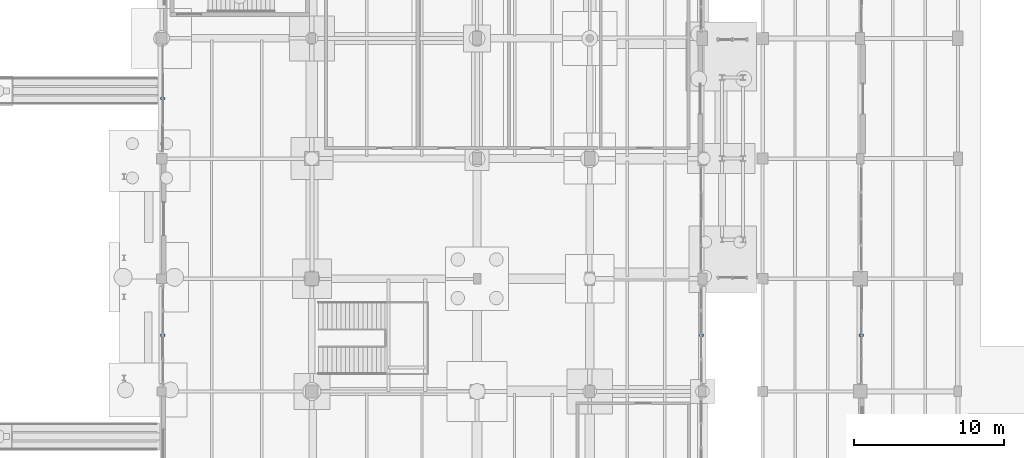
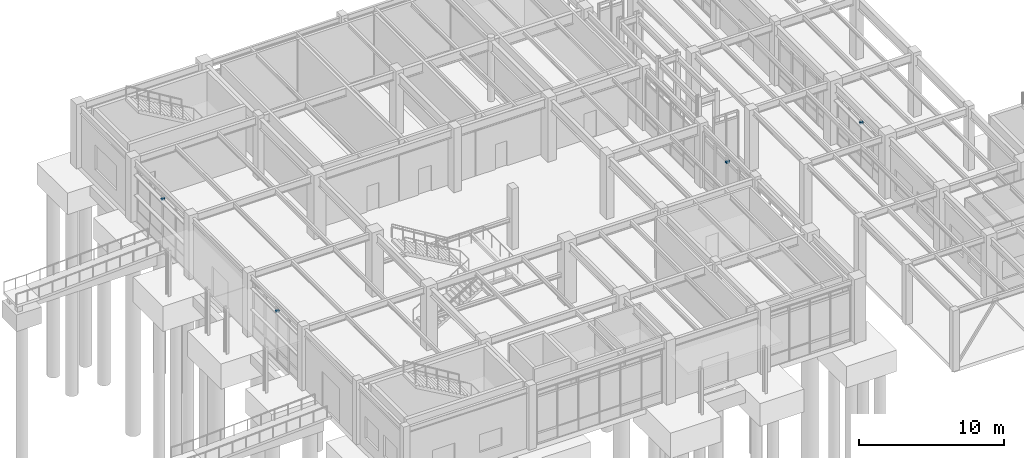
# One storey, part 188 of 203: 4 discrete accessories.
"""IFC4 building model written with IfcOpenShell, lengths in metres."""

from ifc_helpers import new_model, si_unit, direction, frame, origin, origin_2d, place, context, subcontext, project, spatial, rectangle, extrude, material, type_object, element, save


model = new_model("IFC4")

# Units and contexts
model_context = context("Model", 3, precision=1e-05, world=origin(), true_north=direction((0.0, 1.0)))
body_context = subcontext(model_context, "Body", "Model", "MODEL_VIEW")
ifc_project = project(units=[si_unit("LENGTHUNIT", "METRE"), si_unit("AREAUNIT", "SQUARE_METRE"), si_unit("VOLUMEUNIT", "CUBIC_METRE"), si_unit("PLANEANGLEUNIT", "RADIAN"), si_unit("MASSUNIT", "GRAM", prefix="KILO"), si_unit("THERMODYNAMICTEMPERATUREUNIT", "KELVIN"), si_unit("POWERUNIT", "WATT")], contexts=[model_context])

# Site, building, storey
site_placement = place(None, origin())
site = spatial("IfcSite", under=ifc_project, at=site_placement, CompositionType="ELEMENT")
building_placement = place(site_placement, origin())
building = spatial("IfcBuilding", under=site, at=building_placement, Name="Tepalcoro Natatorium and Aquatics Centre", CompositionType="ELEMENT")
storey_placement = place(building_placement, origin())
storey = spatial("IfcBuildingStorey", under=building, at=storey_placement, Name="L00", CompositionType="ELEMENT", Elevation=0.0)

# Discrete accessories
ifc_material_1 = material(Name="Plate Steel ASTM A572 Grade 50 (Fy 345 MPa)", Category="steel")
discrete_accessory_type_1 = type_object("IfcDiscreteAccessoryType", Name="BRK_FACADE_GALV", PredefinedType="BRACKET", material=ifc_material_1)
for number, where, z_axis, x_axis, name in (
    (1, (46.574951171875, 24.25, 3.66015625), (0.0, 0.0, 1.0), (1.0, 0.0, 0.0), "Solar Shading Outrigger Bracket BRK_FACADE_GALV"),
    (2, (0.074951171875, 40.0, 3.9638671875), (0.0, 0.0, 1.0), (1.0, 0.0, 0.0), "Solar Shading Outrigger Bracket BRK_FACADE_GALV"),
    (3, (35.94384765625, 24.25, 4.0869140625), (0.0, 0.0, 1.0), (1.0, 0.0, 0.0), "Solar Shading Outrigger Bracket BRK_FACADE_GALV"),
):
    element("IfcDiscreteAccessory", number, at=place(storey_placement, frame(where, z_axis=z_axis, x_axis=x_axis)), inside=storey, type_object=discrete_accessory_type_1, Name=name, PredefinedType="BRACKET", context=body_context, shape_type="SweptSolid", body=[
        extrude(rectangle(XDim=0.280029296875, YDim=0.159912109375, at=origin_2d()), origin(), (0.0, 0.0, 1.0), 0.159912109375),
    ])
ifc_material_2 = material(Name="Marine-Grade Brushed Stainless Steel AISI 316L", Category="steel")
discrete_accessory_type_2 = type_object("IfcDiscreteAccessoryType", Name="BRK_SEISMIC_SS", PredefinedType="BRACKET", material=ifc_material_2)
discrete_accessory_placement = place(storey_placement, frame((0.074951171875, 24.25, 4.0869140625), z_axis=(0.0, 0.0, 1.0), x_axis=(1.0, 0.0, 0.0)))
element("IfcDiscreteAccessory", 4, at=discrete_accessory_placement, inside=storey, type_object=discrete_accessory_type_2, Name="Solar Shading Outrigger Bracket BRK_SEISMIC_SS", PredefinedType="BRACKET", context=body_context, shape_type="SweptSolid", body=[
    extrude(rectangle(XDim=0.280029296875, YDim=0.159912109375, at=origin_2d()), origin(), (0.0, 0.0, 1.0), 0.159912109375),
])

save(model, "model.ifc")
